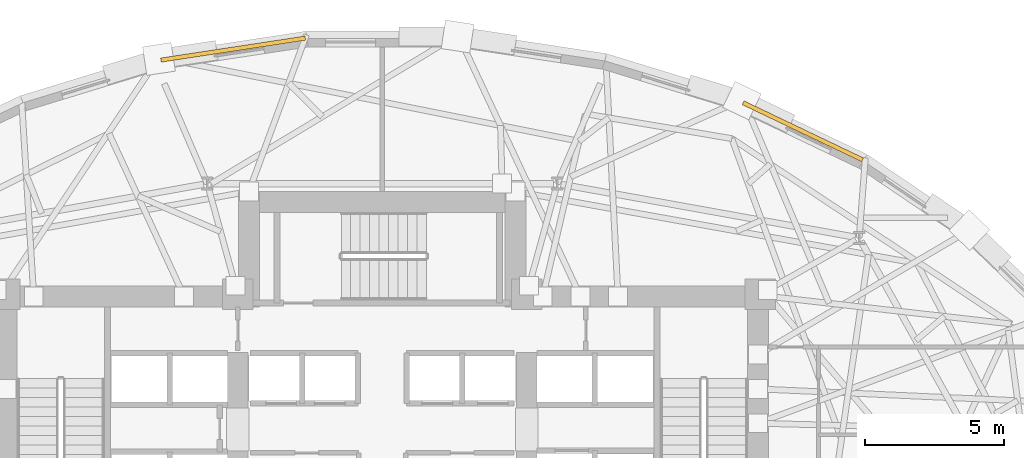
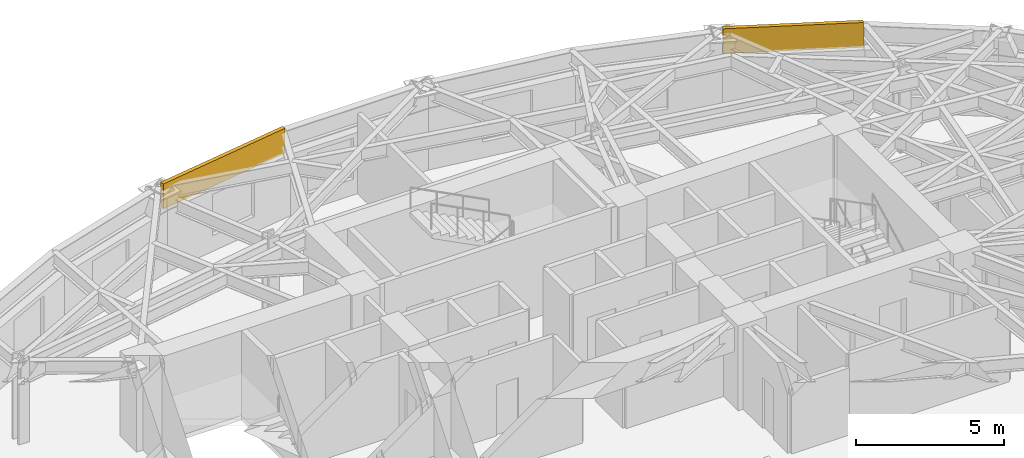
# One storey, part 14 of 14: 2 coverings.
"""IFC4 building model written with IfcOpenShell, lengths in metres."""

from ifc_helpers import new_model, si_unit, direction, frame, origin, origin_2d, place, context, subcontext, project, spatial, rectangle, extrude, material, layer, layer_set, type_object, element, save


model = new_model("IFC4")

# Units and contexts
model_context = context("Model", 3, precision=1e-05, world=origin(), true_north=direction((0.0, 1.0)))
body_context = subcontext(model_context, "Body", "Model", "MODEL_VIEW")
ifc_project = project(units=[si_unit("LENGTHUNIT", "METRE"), si_unit("AREAUNIT", "SQUARE_METRE"), si_unit("VOLUMEUNIT", "CUBIC_METRE"), si_unit("PLANEANGLEUNIT", "RADIAN"), si_unit("MASSUNIT", "GRAM", prefix="KILO")], contexts=[model_context])

# Site, building, storey
site_placement = place(None, origin())
site = spatial("IfcSite", under=ifc_project, at=site_placement, CompositionType="ELEMENT")
building_placement = place(site_placement, origin())
building = spatial("IfcBuilding", under=site, at=building_placement, Name="Keldmark Tower", CompositionType="ELEMENT")
storey_placement = place(building_placement, frame((0.0, 0.0, 100.10009765625)))
storey = spatial("IfcBuildingStorey", under=building, at=storey_placement, Name="L26", CompositionType="ELEMENT", Elevation=100.10009765625)

# Coverings
ifc_material = material(Name="Honed Kasota Buff Dolomitic Limestone", Category="masonry")
ifc_layer = layer(ifc_material, 0.074951171875)
ifc_layer_set = layer_set([ifc_layer], Name="Honed Kasota Buff Dolomitic Limestone")
covering_type = type_object("IfcCoveringType", Name="Kasota Buff Limestone Spandrel Cladding Band", PredefinedType="CLADDING", material=ifc_layer_set)
covering_1_placement = place(storey_placement, frame((15.139892578125, 15.31689453125, 2.45166015625), z_axis=(0.0, 0.0, 1.0), x_axis=(-0.902367267498, 0.430967881109, 0.0)))
element("IfcCovering", 1, at=covering_1_placement, inside=storey, type_object=covering_type, Name="L26 Kasota Limestone Spandrel Band 05", PredefinedType="CLADDING", context=body_context, shape_type="SweptSolid", body=[
    extrude(rectangle(XDim=4.76171875, YDim=0.14990234375, at=origin_2d()), origin(), (0.0, 0.0, 1.0), 1.028076171875),
])
covering_2_placement = place(storey_placement, frame((-5.37109375, 18.275146484375, 2.45166015625), z_axis=(0.0, 0.0, 1.0), x_axis=(-0.988622885275, -0.15041539386, 0.0)))
element("IfcCovering", 2, at=covering_2_placement, inside=storey, type_object=covering_type, Name="L26 Kasota Limestone Spandrel Band 09", PredefinedType="CLADDING", context=body_context, shape_type="SweptSolid", body=[
    extrude(rectangle(XDim=5.257080078125, YDim=0.14990234375, at=origin_2d()), origin(), (0.0, 0.0, 1.0), 1.028076171875),
])

save(model, "model.ifc")
